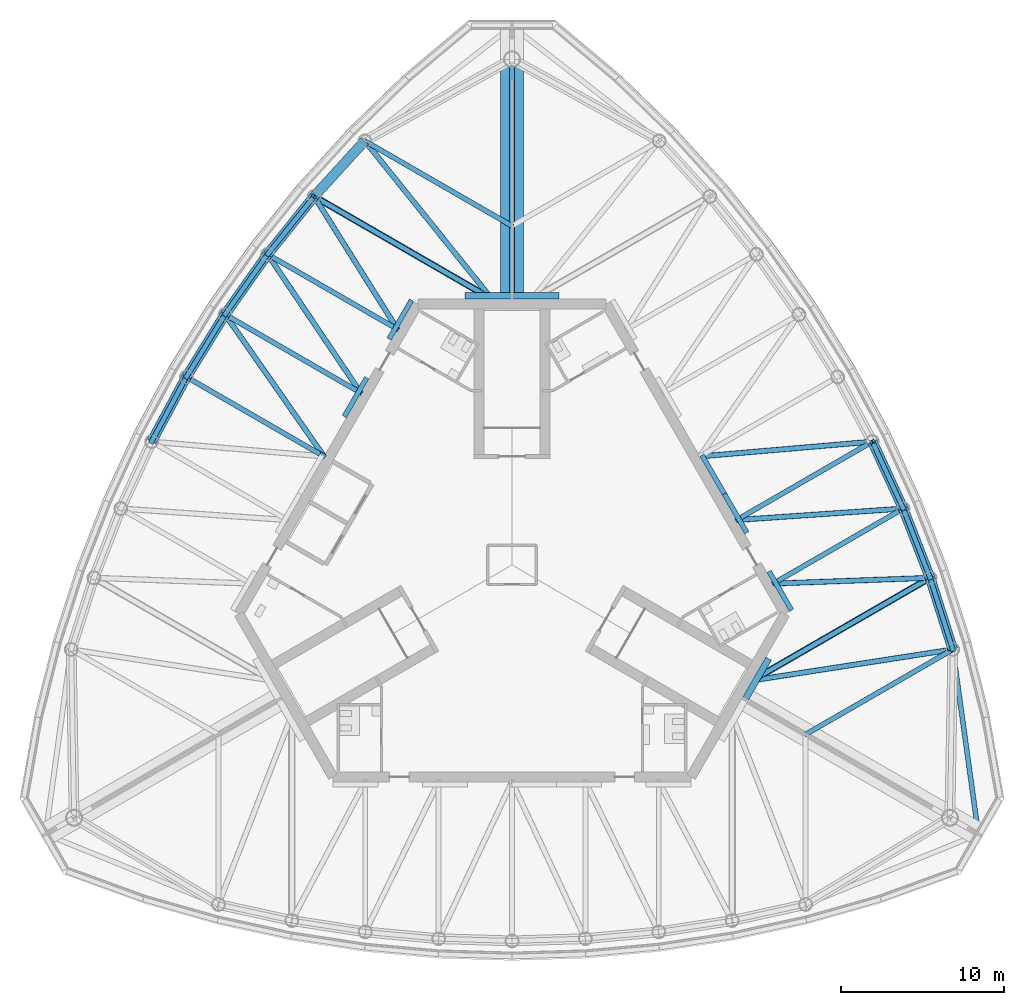
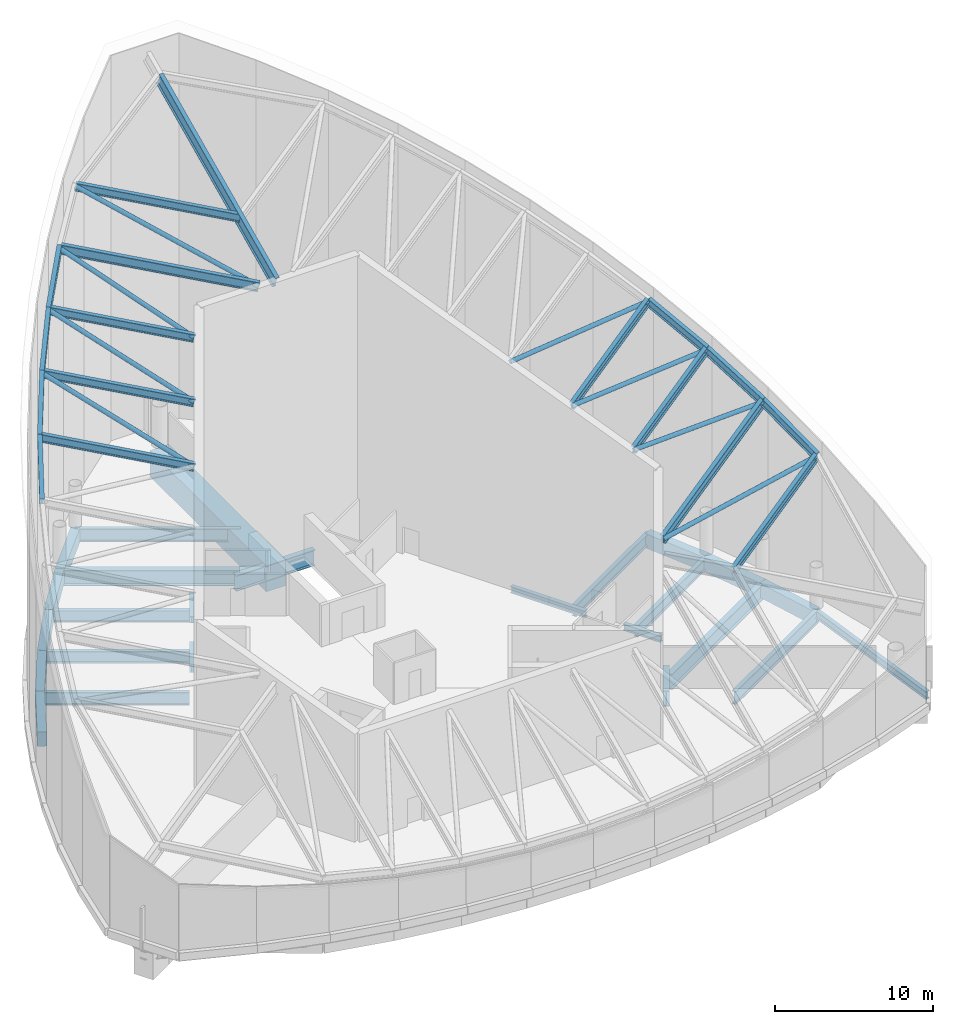
# One storey, part 3 of 10: 44 beams, 8 members.
"""IFC4 building model written with IfcOpenShell, lengths in metres."""

from ifc_helpers import new_model, si_unit, direction, frame, origin, origin_2d, place, context, subcontext, project, spatial, rectangle, hollow_circle, i_section, extrude, material, material_profile, profile_set, type_object, element, save


model = new_model("IFC4")

# Units and contexts
model_context = context("Model", 3, precision=1e-05, world=origin(), true_north=direction((0.0, 1.0)))
body_context = subcontext(model_context, "Body", "Model", "MODEL_VIEW")
ifc_project = project(units=[si_unit("LENGTHUNIT", "METRE"), si_unit("AREAUNIT", "SQUARE_METRE"), si_unit("VOLUMEUNIT", "CUBIC_METRE"), si_unit("PLANEANGLEUNIT", "RADIAN"), si_unit("MASSUNIT", "GRAM", prefix="KILO")], contexts=[model_context])

# Site, building, storey
site_placement = place(None, origin())
site = spatial("IfcSite", under=ifc_project, at=site_placement, CompositionType="ELEMENT")
building_placement = place(site_placement, origin())
building = spatial("IfcBuilding", under=site, at=building_placement, Name="Trefoil Bronze Tower", CompositionType="ELEMENT")
storey_placement = place(building_placement, frame((0.0, 0.0, 328.5)))
storey = spatial("IfcBuildingStorey", under=building, at=storey_placement, Name="RF", CompositionType="ELEMENT", Elevation=328.5)

# Beams
ifc_material_1 = material(Name="Steel C355", Category="steel")
ifc_material_profile_1 = material_profile(ifc_material_1, i_section(OverallWidth=0.300048828125, OverallDepth=0.5, WebThickness=0.014404296875, FlangeThickness=0.028076171875, FilletRadius=0.027099609375, at=origin_2d()), Name="HEB 500")
ifc_profile_set_1 = profile_set([ifc_material_profile_1], Name="Steel C355")
beam_type_1 = type_object("IfcBeamType", Name="Core seat beam HEB 500", PredefinedType="BEAM", material=ifc_profile_set_1)
for number, where, z_axis, x_axis, name in (
    (1, (17.1328125, -2.77490234375, -0.5), (-0.499969057507, 0.866043267704, 0.0), (-0.866043267704, -0.499969057507, 0.0), "Core seat beam F2/-2 RF"),
    (2, (14.390380859375, 1.97509765625, -0.5), (-0.499969057507, 0.866043267704, 0.0), (-0.866043267704, -0.499969057507, 0.0), "Core seat beam F2/-1 RF"),
    (3, (13.019287109375, 4.35009765625, -0.5), (-0.500035825175, 0.866004719122, 0.0), (-0.866004719122, -0.500035825175, 0.0), "Core seat beam F2/+0 RF"),
    (4, (-6.163330078125, 16.22509765625, -0.5), (-0.499969057507, -0.866043267704, 0.0), (0.866043267704, -0.499969057507, 0.0), "Core seat beam F3/-2 RF"),
    (5, (-8.905517578125, 11.47509765625, -0.5), (-0.500035825175, -0.866004719122, 0.0), (0.866004719122, -0.500035825175, 0.0), "Core seat beam F3/-1 RF"),
):
    element("IfcBeam", number, at=place(storey_placement, frame(where, z_axis=z_axis, x_axis=x_axis)), inside=storey, type_object=beam_type_1, Name=name, PredefinedType="BEAM", context=body_context, shape_type="SweptSolid", body=[
        extrude(i_section(OverallWidth=0.300048828125, OverallDepth=0.5, WebThickness=0.014404296875, FlangeThickness=0.028076171875, FilletRadius=0.027099609375, at=origin_2d()), origin(), (0.0, 0.0, 1.0), 2.742431640625),
    ])
ifc_material_2 = material(Name="Steel C355", Category="steel")
ifc_material_profile_2 = material_profile(ifc_material_2, i_section(OverallWidth=0.39990234375, OverallDepth=1.199951171875, WebThickness=0.02001953125, FlangeThickness=0.0400390625, FilletRadius=0.010009765625, at=origin_2d()), Name="WPG 1200")
ifc_profile_set_2 = profile_set([ifc_material_profile_2], Name="Steel C355")
beam_type_2 = type_object("IfcBeamType", Name="Core seat beam WPG 1200", PredefinedType="BEAM", material=ifc_profile_set_2)
beam_1_placement = place(storey_placement, frame((14.289306640625, -8.25, -0.85009765625), z_axis=(0.500059191753, 0.865991226713, 0.0), x_axis=(-0.865991226713, 0.500059191753, 0.0)))
element("IfcBeam", 6, at=beam_1_placement, inside=storey, type_object=beam_type_2, Name="Core seat beam F2/-3 RF", PredefinedType="BEAM", context=body_context, shape_type="SweptSolid", body=[
    extrude(i_section(OverallWidth=0.39990234375, OverallDepth=1.199951171875, WebThickness=0.02001953125, FlangeThickness=0.0400390625, FilletRadius=0.010009765625, at=origin_2d()), origin(), (0.0, 0.0, 1.0), 2.886962890625),
])
for number, where, z_axis, x_axis, name in (
    (7, (2.88671875, 16.5, -0.85009765625), (-1.0, 0.0, 0.0), (0.0, -1.0, 0.0), "Core seat beam F2/+3 RF"),
    (8, (0.0, 16.5, -0.85009765625), (-1.0, 0.0, 0.0), (0.0, -1.0, 0.0), "Core seat beam F3/-3 RF"),
):
    element("IfcBeam", number, at=place(storey_placement, frame(where, z_axis=z_axis, x_axis=x_axis)), inside=storey, type_object=beam_type_2, Name=name, PredefinedType="BEAM", context=body_context, shape_type="SweptSolid", body=[
        extrude(i_section(OverallWidth=0.39990234375, OverallDepth=1.199951171875, WebThickness=0.02001953125, FlangeThickness=0.0400390625, FilletRadius=0.010009765625, at=origin_2d()), origin(), (0.0, 0.0, 1.0), 2.88671875),
    ])
ifc_material_3 = material(Name="Steel C355", Category="steel")
ifc_material_profile_3 = material_profile(ifc_material_3, i_section(OverallWidth=0.300048828125, OverallDepth=0.60009765625, WebThickness=0.015380859375, FlangeThickness=0.030029296875, FilletRadius=0.027099609375, at=origin_2d()), Name="HEB 600")
ifc_profile_set_3 = profile_set([ifc_material_profile_3], Name="Steel C355")
beam_type_3 = type_object("IfcBeamType", Name="Corner edge beam HEB 600", PredefinedType="BEAM", material=ifc_profile_set_3)
beam_2_placement = place(storey_placement, frame((27.02734375, -5.180419921875, -0.550048828125), z_axis=(0.137143714313, -0.990551160529, 0.0), x_axis=(0.990551160529, 0.137143714313, 0.0)))
element("IfcBeam", 9, at=beam_2_placement, inside=storey, type_object=beam_type_3, Name="Corner edge beam F2B RF", PredefinedType="BEAM", context=body_context, shape_type="SweptSolid", body=[
    extrude(i_section(OverallWidth=0.300048828125, OverallDepth=0.60009765625, WebThickness=0.015380859375, FlangeThickness=0.030029296875, FilletRadius=0.027099609375, at=origin_2d()), origin(), (0.0, 0.0, 1.0), 11.437744140625),
])
ifc_material_4 = material(Name="Concrete B80", Category="concrete")
ifc_material_profile_4 = material_profile(ifc_material_4, rectangle(XDim=1.39990234375, YDim=2.0, at=origin_2d()), Name="RC 1400x2000")
ifc_profile_set_4 = profile_set([ifc_material_profile_4], Name="Concrete B80")
beam_type_4 = type_object("IfcBeamType", Name="Corner girder RC 1400x2000", PredefinedType="BEAM", material=ifc_profile_set_4)
beam_3_placement = place(storey_placement, frame((0.0, 16.300048828125, -1.25), z_axis=(0.0, 1.0, 0.0), x_axis=(-1.0, 0.0, 0.0)))
element("IfcBeam", 10, at=beam_3_placement, inside=storey, type_object=beam_type_4, Name="Corner girder K2 RF", PredefinedType="BEAM", context=body_context, shape_type="SweptSolid", body=[
    extrude(rectangle(XDim=1.39990234375, YDim=2.0, at=origin_2d()), origin(), (0.0, 0.0, 1.0), 14.699951171875),
])
ifc_material_5 = material(Name="Steel C355", Category="steel")
ifc_material_profile_5 = material_profile(ifc_material_5, i_section(OverallWidth=0.300048828125, OverallDepth=0.60009765625, WebThickness=0.015380859375, FlangeThickness=0.030029296875, FilletRadius=0.027099609375, at=origin_2d()), Name="HEB 600")
ifc_profile_set_5 = profile_set([ifc_material_profile_5], Name="Steel C355")
beam_type_5 = type_object("IfcBeamType", Name="Crown edge beam HEB 600", PredefinedType="BEAM", material=ifc_profile_set_5)
beam_4_placement = place(storey_placement, frame((27.02734375, -5.180419921875, 11.5791015625), z_axis=(-0.276925773923, 0.871078571358, 0.405628201999), x_axis=(-0.953000221975, -0.302969597344, 0.0)))
element("IfcBeam", 11, at=beam_4_placement, inside=storey, type_object=beam_type_5, Name="Crown edge beam F2.2", PredefinedType="BEAM", context=body_context, shape_type="SweptSolid", body=[
    extrude(i_section(OverallWidth=0.300048828125, OverallDepth=0.60009765625, WebThickness=0.015380859375, FlangeThickness=0.030029296875, FilletRadius=0.027099609375, at=origin_2d()), origin(), (0.0, 0.0, 1.0), 5.040283203125),
])
beam_5_placement = place(storey_placement, frame((25.631591796875, -0.7900390625, 13.62353515625), z_axis=(-0.331719102845, 0.855191027335, 0.398259643416), x_axis=(-0.932319256631, -0.361636286502, 0.0)))
element("IfcBeam", 12, at=beam_5_placement, inside=storey, type_object=beam_type_5, Name="Crown edge beam F2.3", PredefinedType="BEAM", context=body_context, shape_type="SweptSolid", body=[
    extrude(i_section(OverallWidth=0.300048828125, OverallDepth=0.60009765625, WebThickness=0.015380859375, FlangeThickness=0.030029296875, FilletRadius=0.027099609375, at=origin_2d()), origin(), (0.0, 0.0, 1.0), 4.964111328125),
])
beam_6_placement = place(storey_placement, frame((23.98486328125, 3.455322265625, 15.6005859375), z_axis=(-0.38535807126, 0.83649320775, 0.389587307678), x_axis=(-0.90825484215, -0.418417425199, 0.0)))
element("IfcBeam", 13, at=beam_6_placement, inside=storey, type_object=beam_type_5, Name="Crown edge beam F2.4", PredefinedType="BEAM", context=body_context, shape_type="SweptSolid", body=[
    extrude(i_section(OverallWidth=0.300048828125, OverallDepth=0.60009765625, WebThickness=0.015380859375, FlangeThickness=0.030029296875, FilletRadius=0.027099609375, at=origin_2d()), origin(), (0.0, 0.0, 1.0), 4.90673828125),
])
beam_7_placement = place(storey_placement, frame((-12.131591796875, 22.5927734375, 24.51513671875), z_axis=(-0.588944112057, -0.732564435439, -0.341312438689), x_axis=(0.779365403939, -0.626569682592, 0.0)))
element("IfcBeam", 14, at=beam_7_placement, inside=storey, type_object=beam_type_5, Name="Crown edge beam F3.3", PredefinedType="BEAM", context=body_context, shape_type="SweptSolid", body=[
    extrude(i_section(OverallWidth=0.300048828125, OverallDepth=0.60009765625, WebThickness=0.015380859375, FlangeThickness=0.030029296875, FilletRadius=0.027099609375, at=origin_2d()), origin(), (0.0, 0.0, 1.0), 4.8447265625),
])
beam_8_placement = place(storey_placement, frame((-14.98486328125, 19.043701171875, 22.861572265625), z_axis=(-0.539643958627, -0.763136441165, -0.355537860269), x_axis=(0.816483968693, -0.577368105169, 0.0)))
element("IfcBeam", 15, at=beam_8_placement, inside=storey, type_object=beam_type_5, Name="Crown edge beam F3.4", PredefinedType="BEAM", context=body_context, shape_type="SweptSolid", body=[
    extrude(i_section(OverallWidth=0.300048828125, OverallDepth=0.60009765625, WebThickness=0.015380859375, FlangeThickness=0.030029296875, FilletRadius=0.027099609375, at=origin_2d()), origin(), (0.0, 0.0, 1.0), 4.8349609375),
])
beam_9_placement = place(storey_placement, frame((-17.593994140625, 15.35400390625, 21.142578125), z_axis=(-0.489304887331, -0.790551327496, -0.368251715308), x_axis=(0.850305593433, -0.526289271956, 0.0)))
element("IfcBeam", 16, at=beam_9_placement, inside=storey, type_object=beam_type_5, Name="Crown edge beam F3.5", PredefinedType="BEAM", context=body_context, shape_type="SweptSolid", body=[
    extrude(i_section(OverallWidth=0.300048828125, OverallDepth=0.60009765625, WebThickness=0.015380859375, FlangeThickness=0.030029296875, FilletRadius=0.027099609375, at=origin_2d()), origin(), (0.0, 0.0, 1.0), 4.84228515625),
])
beam_10_placement = place(storey_placement, frame((-19.96337890625, 11.52587890625, 19.359375), z_axis=(-0.437827473466, -0.815000264289, -0.379580917181), x_axis=(0.880930378458, -0.473245885676, 0.0)))
element("IfcBeam", 17, at=beam_10_placement, inside=storey, type_object=beam_type_5, Name="Crown edge beam F3.6", PredefinedType="BEAM", context=body_context, shape_type="SweptSolid", body=[
    extrude(i_section(OverallWidth=0.300048828125, OverallDepth=0.60009765625, WebThickness=0.015380859375, FlangeThickness=0.030029296875, FilletRadius=0.027099609375, at=origin_2d()), origin(), (0.0, 0.0, 1.0), 4.866455078125),
])
ifc_material_6 = material(Name="Steel C355", Category="steel")
ifc_material_profile_6 = material_profile(ifc_material_6, i_section(OverallWidth=0.302001953125, OverallDepth=1.008056640625, WebThickness=0.02099609375, FlangeThickness=0.0400390625, FilletRadius=0.030029296875, at=origin_2d()), Name="HEM 1000")
ifc_profile_set_6 = profile_set([ifc_material_profile_6], Name="Steel C355")
beam_type_6 = type_object("IfcBeamType", Name="Crown girder HEM 1000", PredefinedType="BEAM", material=ifc_profile_set_6)
beam_11_placement = place(storey_placement, frame((0.0, 16.300048828125, 21.38916015625), z_axis=(0.0, 0.906312689865, 0.422607747432), x_axis=(-1.0, 0.0, 0.0)))
element("IfcBeam", 18, at=beam_11_placement, inside=storey, type_object=beam_type_6, Name="Crown girder K2", PredefinedType="BEAM", context=body_context, shape_type="SweptSolid", body=[
    extrude(i_section(OverallWidth=0.302001953125, OverallDepth=1.008056640625, WebThickness=0.02099609375, FlangeThickness=0.0400390625, FilletRadius=0.030029296875, at=origin_2d()), origin(), (0.0, 0.0, 1.0), 16.219482421875),
])
ifc_material_7 = material(Name="Steel C355", Category="steel")
ifc_material_profile_7 = material_profile(ifc_material_7, i_section(OverallWidth=0.300048828125, OverallDepth=0.60009765625, WebThickness=0.015380859375, FlangeThickness=0.030029296875, FilletRadius=0.027099609375, at=origin_2d()), Name="HEB 600")
ifc_profile_set_7 = profile_set([ifc_material_profile_7], Name="Steel C355")
beam_type_7 = type_object("IfcBeamType", Name="Crown rafter HEB 600", PredefinedType="BEAM", material=ifc_profile_set_7)
beam_12_placement = place(storey_placement, frame((27.02734375, -5.180419921875, 11.56005859375), z_axis=(-0.843404743405, -0.486937593634, -0.227068753262), x_axis=(0.499998180979, -0.866026453994, 0.0)))
element("IfcBeam", 19, at=beam_12_placement, inside=storey, type_object=beam_type_7, Name="Crown rafter F2/-4", PredefinedType="BEAM", context=body_context, shape_type="SweptSolid", body=[
    extrude(i_section(OverallWidth=0.300048828125, OverallDepth=0.60009765625, WebThickness=0.015380859375, FlangeThickness=0.030029296875, FilletRadius=0.027099609375, at=origin_2d()), origin(), (0.0, 0.0, 1.0), 10.703369140625),
])
beam_13_placement = place(storey_placement, frame((23.98486328125, 3.455322265625, 15.5869140625), z_axis=(-0.843407100155, -0.486938887194, -0.227057225266), x_axis=(0.499998129301, -0.86602648383, 0.0)))
element("IfcBeam", 20, at=beam_13_placement, inside=storey, type_object=beam_type_7, Name="Crown rafter F2/-2", PredefinedType="BEAM", context=body_context, shape_type="SweptSolid", body=[
    extrude(i_section(OverallWidth=0.300048828125, OverallDepth=0.60009765625, WebThickness=0.015380859375, FlangeThickness=0.030029296875, FilletRadius=0.027099609375, at=origin_2d()), origin(), (0.0, 0.0, 1.0), 9.446044921875),
])
beam_14_placement = place(storey_placement, frame((22.093994140625, 7.559814453125, 17.5009765625), z_axis=(-0.84340999103, -0.486933680714, -0.22705765263), x_axis=(0.499992834343, -0.866029540839, 0.0)))
element("IfcBeam", 21, at=beam_14_placement, inside=storey, type_object=beam_type_7, Name="Crown rafter F2/-1", PredefinedType="BEAM", context=body_context, shape_type="SweptSolid", body=[
    extrude(i_section(OverallWidth=0.300048828125, OverallDepth=0.60009765625, WebThickness=0.015380859375, FlangeThickness=0.030029296875, FilletRadius=0.027099609375, at=origin_2d()), origin(), (0.0, 0.0, 1.0), 9.871826171875),
])
beam_15_placement = place(storey_placement, frame((-9.02734375, 25.99658203125, 26.09814453125), z_axis=(0.843404743405, -0.486937593634, -0.227068753262), x_axis=(0.499998180979, 0.866026453994, 0.0)))
element("IfcBeam", 22, at=beam_15_placement, inside=storey, type_object=beam_type_7, Name="Crown rafter F3/-4", PredefinedType="BEAM", context=body_context, shape_type="SweptSolid", body=[
    extrude(i_section(OverallWidth=0.300048828125, OverallDepth=0.60009765625, WebThickness=0.015380859375, FlangeThickness=0.030029296875, FilletRadius=0.027099609375, at=origin_2d()), origin(), (0.0, 0.0, 1.0), 10.703369140625),
])
beam_16_placement = place(storey_placement, frame((-14.98486328125, 19.043701171875, 22.85595703125), z_axis=(0.843417714714, -0.486919169144, -0.227060082856), x_axis=(0.499978224471, 0.866037975527, 0.0)))
element("IfcBeam", 23, at=beam_16_placement, inside=storey, type_object=beam_type_7, Name="Crown rafter F3/-2", PredefinedType="BEAM", context=body_context, shape_type="SweptSolid", body=[
    extrude(i_section(OverallWidth=0.300048828125, OverallDepth=0.60009765625, WebThickness=0.015380859375, FlangeThickness=0.030029296875, FilletRadius=0.027099609375, at=origin_2d()), origin(), (0.0, 0.0, 1.0), 9.44580078125),
])
beam_17_placement = place(storey_placement, frame((-17.593994140625, 15.35400390625, 21.135498046875), z_axis=(0.84340525471, -0.48693094625, -0.227081108663), x_axis=(0.499992834343, 0.866029540839, 0.0)))
element("IfcBeam", 24, at=beam_17_placement, inside=storey, type_object=beam_type_7, Name="Crown rafter F3/-1", PredefinedType="BEAM", context=body_context, shape_type="SweptSolid", body=[
    extrude(i_section(OverallWidth=0.300048828125, OverallDepth=0.60009765625, WebThickness=0.015380859375, FlangeThickness=0.030029296875, FilletRadius=0.027099609375, at=origin_2d()), origin(), (0.0, 0.0, 1.0), 9.871826171875),
])
beam_18_placement = place(storey_placement, frame((-19.96337890625, 11.52587890625, 19.350341796875), z_axis=(0.843401516038, -0.486945394262, -0.227064012455), x_axis=(0.500005623329, 0.86602215713, 0.0)))
element("IfcBeam", 25, at=beam_18_placement, inside=storey, type_object=beam_type_7, Name="Crown rafter F3/+0", PredefinedType="BEAM", context=body_context, shape_type="SweptSolid", body=[
    extrude(i_section(OverallWidth=0.300048828125, OverallDepth=0.60009765625, WebThickness=0.015380859375, FlangeThickness=0.030029296875, FilletRadius=0.027099609375, at=origin_2d()), origin(), (0.0, 0.0, 1.0), 10.013427734375),
])
ifc_material_8 = material(Name="Steel C355", Category="steel")
ifc_material_profile_8 = material_profile(ifc_material_8, i_section(OverallWidth=0.303955078125, OverallDepth=0.716064453125, WebThickness=0.02099609375, FlangeThickness=0.0400390625, FilletRadius=0.027099609375, at=origin_2d()), Name="HEM 700")
ifc_profile_set_8 = profile_set([ifc_material_profile_8], Name="Steel C355")
beam_type_8 = type_object("IfcBeamType", Name="Crown rafter HEM 700", PredefinedType="BEAM", material=ifc_profile_set_8)
for number, where, z_axis, x_axis, name in (
    (26, (25.631591796875, -0.7900390625, 13.546875), (-0.843401680856, -0.486944836235, -0.227064596963), (0.500005120304, -0.866022447555, 0.0), "Crown rafter F2/-3"),
    (27, (-12.131591796875, 22.5927734375, 24.450439453125), (0.843401680856, -0.486944836235, -0.227064596963), (0.500005120304, 0.866022447555, 0.0), "Crown rafter F3/-3"),
):
    element("IfcBeam", number, at=place(storey_placement, frame(where, z_axis=z_axis, x_axis=x_axis)), inside=storey, type_object=beam_type_8, Name=name, PredefinedType="BEAM", context=body_context, shape_type="SweptSolid", body=[
        extrude(i_section(OverallWidth=0.303955078125, OverallDepth=0.716064453125, WebThickness=0.02099609375, FlangeThickness=0.0400390625, FilletRadius=0.027099609375, at=origin_2d()), origin(), (0.0, 0.0, 1.0), 12.9228515625),
    ])

# Members
ifc_material_9 = material(Name="Steel C355", Category="steel")
ifc_material_profile_9 = material_profile(ifc_material_9, hollow_circle(Radius=0.161865234375, WallThickness=0.012451171875, at=origin_2d()), Name="CHS 323.9x12.5")
ifc_profile_set_9 = profile_set([ifc_material_profile_9], Name="Steel C355")
member_type = type_object("IfcMemberType", Name="Crown roof brace CHS 323.9x12.5", PredefinedType="BRACE", material=ifc_profile_set_9)
member_1_placement = place(storey_placement, frame((27.02734375, -5.180419921875, 11.56005859375), z_axis=(-0.98538708231, -0.152464975087, -0.07593898464), x_axis=(0.152906497739, -0.988240660441, 0.0)))
element("IfcMember", 28, at=member_1_placement, inside=storey, type_object=member_type, Name="Crown roof brace F2.1", PredefinedType="BRACE", context=body_context, shape_type="SweptSolid", body=[
    extrude(hollow_circle(Radius=0.161865234375, WallThickness=0.012451171875, at=origin_2d()), origin(), (0.0, 0.0, 1.0), 12.477294921875),
])
member_2_placement = place(storey_placement, frame((25.631591796875, -0.7900390625, 13.546875), z_axis=(-0.999262547954, -0.036821747647, -0.010886650407), x_axis=(0.036823929882, -0.999321769095, 0.0)))
element("IfcMember", 29, at=member_2_placement, inside=storey, type_object=member_type, Name="Crown roof brace F2.2", PredefinedType="BRACE", context=body_context, shape_type="SweptSolid", body=[
    extrude(hollow_circle(Radius=0.161865234375, WallThickness=0.012451171875, at=origin_2d()), origin(), (0.0, 0.0, 1.0), 9.62060546875),
])
member_3_placement = place(storey_placement, frame((23.98486328125, 3.455322265625, 15.5869140625), z_axis=(-0.9971357278, -0.068551889908, -0.031952757861), x_axis=(0.068586911739, -0.997645145098, 0.0)))
element("IfcMember", 30, at=member_3_placement, inside=storey, type_object=member_type, Name="Crown roof brace F2.3", PredefinedType="BRACE", context=body_context, shape_type="SweptSolid", body=[
    extrude(hollow_circle(Radius=0.161865234375, WallThickness=0.012451171875, at=origin_2d()), origin(), (0.0, 0.0, 1.0), 10.24609375),
])
member_4_placement = place(storey_placement, frame((22.093994140625, 7.559814453125, 17.5009765625), z_axis=(-0.995524273093, -0.085651076106, -0.039941392614), x_axis=(0.085719478175, -0.996319311798, 0.0)))
element("IfcMember", 31, at=member_4_placement, inside=storey, type_object=member_type, Name="Crown roof brace F2.4", PredefinedType="BRACE", context=body_context, shape_type="SweptSolid", body=[
    extrude(hollow_circle(Radius=0.161865234375, WallThickness=0.012451171875, at=origin_2d()), origin(), (0.0, 0.0, 1.0), 10.62353515625),
])
member_5_placement = place(storey_placement, frame((-9.02734375, 25.99658203125, 26.09814453125), z_axis=(0.587934301705, -0.73136390193, -0.345601070358), x_axis=(0.779388635383, 0.626540784815, 0.0)))
element("IfcMember", 32, at=member_5_placement, inside=storey, type_object=member_type, Name="Crown roof brace F3.1", PredefinedType="BRACE", context=body_context, shape_type="SweptSolid", body=[
    extrude(hollow_circle(Radius=0.161865234375, WallThickness=0.012451171875, at=origin_2d()), origin(), (0.0, 0.0, 1.0), 13.258056640625),
])
member_6_placement = place(storey_placement, frame((-12.131591796875, 22.5927734375, 24.450439453125), z_axis=(0.495438908918, -0.789485272095, -0.36228896295), x_axis=(0.847027375707, 0.531549268462, 0.0)))
element("IfcMember", 33, at=member_6_placement, inside=storey, type_object=member_type, Name="Crown roof brace F3.2", PredefinedType="BRACE", context=body_context, shape_type="SweptSolid", body=[
    extrude(hollow_circle(Radius=0.161865234375, WallThickness=0.012451171875, at=origin_2d()), origin(), (0.0, 0.0, 1.0), 10.3212890625),
])
member_7_placement = place(storey_placement, frame((-14.98486328125, 19.043701171875, 22.85595703125), z_axis=(0.520629607279, -0.773785086801, -0.360834382326), x_axis=(0.829680754096, 0.558238162689, 0.0)))
element("IfcMember", 34, at=member_7_placement, inside=storey, type_object=member_type, Name="Crown roof brace F3.3", PredefinedType="BRACE", context=body_context, shape_type="SweptSolid", body=[
    extrude(hollow_circle(Radius=0.161865234375, WallThickness=0.012451171875, at=origin_2d()), origin(), (0.0, 0.0, 1.0), 10.98046875),
])
member_8_placement = place(storey_placement, frame((-17.593994140625, 15.35400390625, 21.135498046875), z_axis=(0.534639793726, -0.765900989509, -0.357149779832), x_axis=(0.819981099104, 0.572390598379, 0.0)))
element("IfcMember", 35, at=member_8_placement, inside=storey, type_object=member_type, Name="Crown roof brace F3.4", PredefinedType="BRACE", context=body_context, shape_type="SweptSolid", body=[
    extrude(hollow_circle(Radius=0.161865234375, WallThickness=0.012451171875, at=origin_2d()), origin(), (0.0, 0.0, 1.0), 11.364501953125),
])

# Beams
ifc_material_10 = material(Name="Steel C355", Category="steel")
ifc_material_profile_10 = material_profile(ifc_material_10, i_section(OverallWidth=0.300048828125, OverallDepth=1.0, WebThickness=0.01904296875, FlangeThickness=0.035888671875, FilletRadius=0.030029296875, at=origin_2d()), Name="HEB 1000")
ifc_profile_set_10 = profile_set([ifc_material_profile_10], Name="Steel C355")
beam_type_9 = type_object("IfcBeamType", Name="Floor beam HEB 1000", PredefinedType="BEAM", material=ifc_profile_set_10)
beam_19_placement = place(storey_placement, frame((-19.96337890625, 11.52587890625, -0.75), z_axis=(0.866029875693, -0.499992254348, 0.0), x_axis=(0.499992254348, 0.866029875693, 0.0)))
element("IfcBeam", 36, at=beam_19_placement, inside=storey, type_object=beam_type_9, Name="Floor beam F3/+0 RF", PredefinedType="BEAM", context=body_context, shape_type="SweptSolid", body=[
    extrude(i_section(OverallWidth=0.300048828125, OverallDepth=1.0, WebThickness=0.01904296875, FlangeThickness=0.035888671875, FilletRadius=0.030029296875, at=origin_2d()), origin(), (0.0, 0.0, 1.0), 9.451904296875),
])
ifc_material_11 = material(Name="Steel C355", Category="steel")
ifc_material_profile_11 = material_profile(ifc_material_11, i_section(OverallWidth=0.300048828125, OverallDepth=0.89990234375, WebThickness=0.0185546875, FlangeThickness=0.034912109375, FilletRadius=0.030029296875, at=origin_2d()), Name="HEB 900")
ifc_profile_set_11 = profile_set([ifc_material_profile_11], Name="Steel C355")
beam_type_10 = type_object("IfcBeamType", Name="Floor beam HEB 900", PredefinedType="BEAM", material=ifc_profile_set_11)
beam_20_placement = place(storey_placement, frame((23.98486328125, 3.455322265625, -0.699951171875), z_axis=(-0.866034827411, -0.499983677445, 0.0), x_axis=(0.499983677445, -0.866034827411, 0.0)))
element("IfcBeam", 37, at=beam_20_placement, inside=storey, type_object=beam_type_10, Name="Floor beam F2/-2 RF", PredefinedType="BEAM", context=body_context, shape_type="SweptSolid", body=[
    extrude(i_section(OverallWidth=0.300048828125, OverallDepth=0.89990234375, WebThickness=0.0185546875, FlangeThickness=0.034912109375, FilletRadius=0.030029296875, at=origin_2d()), origin(), (0.0, 0.0, 1.0), 8.899169921875),
])
beam_21_placement = place(storey_placement, frame((22.093994140625, 7.559814453125, -0.699951171875), z_axis=(-0.866026261222, -0.499998514871, 0.0), x_axis=(0.499998514871, -0.866026261222, 0.0)))
element("IfcBeam", 38, at=beam_21_placement, inside=storey, type_object=beam_type_10, Name="Floor beam F2/-1 RF", PredefinedType="BEAM", context=body_context, shape_type="SweptSolid", body=[
    extrude(i_section(OverallWidth=0.300048828125, OverallDepth=0.89990234375, WebThickness=0.0185546875, FlangeThickness=0.034912109375, FilletRadius=0.030029296875, at=origin_2d()), origin(), (0.0, 0.0, 1.0), 9.31396484375),
])
beam_22_placement = place(storey_placement, frame((-14.98486328125, 19.043701171875, -0.699951171875), z_axis=(0.866034827411, -0.499983677445, 0.0), x_axis=(0.499983677445, 0.866034827411, 0.0)))
element("IfcBeam", 39, at=beam_22_placement, inside=storey, type_object=beam_type_10, Name="Floor beam F3/-2 RF", PredefinedType="BEAM", context=body_context, shape_type="SweptSolid", body=[
    extrude(i_section(OverallWidth=0.300048828125, OverallDepth=0.89990234375, WebThickness=0.0185546875, FlangeThickness=0.034912109375, FilletRadius=0.030029296875, at=origin_2d()), origin(), (0.0, 0.0, 1.0), 8.899169921875),
])
beam_23_placement = place(storey_placement, frame((-17.593994140625, 15.35400390625, -0.699951171875), z_axis=(0.866026261222, -0.499998514871, 0.0), x_axis=(0.499998514871, 0.866026261222, 0.0)))
element("IfcBeam", 40, at=beam_23_placement, inside=storey, type_object=beam_type_10, Name="Floor beam F3/-1 RF", PredefinedType="BEAM", context=body_context, shape_type="SweptSolid", body=[
    extrude(i_section(OverallWidth=0.300048828125, OverallDepth=0.89990234375, WebThickness=0.0185546875, FlangeThickness=0.034912109375, FilletRadius=0.030029296875, at=origin_2d()), origin(), (0.0, 0.0, 1.0), 9.31396484375),
])
ifc_material_12 = material(Name="Steel C355", Category="steel")
ifc_material_profile_12 = material_profile(ifc_material_12, i_section(OverallWidth=0.302001953125, OverallDepth=1.008056640625, WebThickness=0.02099609375, FlangeThickness=0.0400390625, FilletRadius=0.030029296875, at=origin_2d()), Name="HEM 1000")
ifc_profile_set_12 = profile_set([ifc_material_profile_12], Name="Steel C355")
beam_type_11 = type_object("IfcBeamType", Name="Floor beam HEM 1000", PredefinedType="BEAM", material=ifc_profile_set_12)
for number, where, z_axis, x_axis, name in (
    (41, (27.02734375, -5.180419921875, -0.75390625), (-0.866026453994, -0.499998180979, 0.0), (0.499998180979, -0.866026453994, 0.0), "Floor beam F2/-4 RF"),
    (42, (-9.02734375, 25.99658203125, -0.75390625), (0.866026453994, -0.499998180979, 0.0), (0.499998180979, 0.866026453994, 0.0), "Floor beam F3/-4 RF"),
):
    element("IfcBeam", number, at=place(storey_placement, frame(where, z_axis=z_axis, x_axis=x_axis)), inside=storey, type_object=beam_type_11, Name=name, PredefinedType="BEAM", context=body_context, shape_type="SweptSolid", body=[
        extrude(i_section(OverallWidth=0.302001953125, OverallDepth=1.008056640625, WebThickness=0.02099609375, FlangeThickness=0.0400390625, FilletRadius=0.030029296875, at=origin_2d()), origin(), (0.0, 0.0, 1.0), 10.423828125),
    ])
ifc_material_13 = material(Name="Steel C355", Category="steel")
ifc_material_profile_13 = material_profile(ifc_material_13, i_section(OverallWidth=0.39990234375, OverallDepth=1.199951171875, WebThickness=0.02001953125, FlangeThickness=0.0400390625, FilletRadius=0.010009765625, at=origin_2d()), Name="WPG 1200")
ifc_profile_set_13 = profile_set([ifc_material_profile_13], Name="Steel C355")
beam_type_12 = type_object("IfcBeamType", Name="Floor beam WPG 1200", PredefinedType="BEAM", material=ifc_profile_set_13)
beam_24_placement = place(storey_placement, frame((25.631591796875, -0.7900390625, -0.85009765625), z_axis=(-0.866026552003, -0.499998011222, 0.0), x_axis=(0.499998011222, -0.866026552003, 0.0)))
element("IfcBeam", 43, at=beam_24_placement, inside=storey, type_object=beam_type_12, Name="Floor beam F2/-3 RF", PredefinedType="BEAM", context=body_context, shape_type="SweptSolid", body=[
    extrude(i_section(OverallWidth=0.39990234375, OverallDepth=1.199951171875, WebThickness=0.02001953125, FlangeThickness=0.0400390625, FilletRadius=0.010009765625, at=origin_2d()), origin(), (0.0, 0.0, 1.0), 11.78515625),
])
beam_25_placement = place(storey_placement, frame((-12.131591796875, 22.5927734375, -0.85009765625), z_axis=(0.866017581749, -0.500013547917, 0.0), x_axis=(0.500013547917, 0.866017581749, 0.0)))
element("IfcBeam", 44, at=beam_25_placement, inside=storey, type_object=beam_type_12, Name="Floor beam F3/-3 RF", PredefinedType="BEAM", context=body_context, shape_type="SweptSolid", body=[
    extrude(i_section(OverallWidth=0.39990234375, OverallDepth=1.199951171875, WebThickness=0.02001953125, FlangeThickness=0.0400390625, FilletRadius=0.010009765625, at=origin_2d()), origin(), (0.0, 0.0, 1.0), 11.785400390625),
])
ifc_material_14 = material(Name="Concrete B80", Category="concrete")
ifc_material_profile_14 = material_profile(ifc_material_14, rectangle(XDim=0.60009765625, YDim=1.10009765625, at=origin_2d()), Name="RC 600x1100")
ifc_profile_set_14 = profile_set([ifc_material_profile_14], Name="Concrete B80")
beam_type_13 = type_object("IfcBeamType", Name="Spandrel beam RC 600x1100", PredefinedType="SPANDREL", material=ifc_profile_set_14)
beam_26_placement = place(storey_placement, frame((27.02734375, -5.180419921875, -0.800048828125), z_axis=(-0.302969597344, 0.953000221975, 0.0), x_axis=(-0.953000221975, -0.302969597344, 0.0)))
element("IfcBeam", 45, at=beam_26_placement, inside=storey, type_object=beam_type_13, Name="Spandrel F2.2 RF", PredefinedType="SPANDREL", context=body_context, shape_type="SweptSolid", body=[
    extrude(rectangle(XDim=0.60009765625, YDim=1.10009765625, at=origin_2d()), origin(), (0.0, 0.0, 1.0), 4.60693359375),
])
beam_27_placement = place(storey_placement, frame((25.631591796875, -0.7900390625, -0.800048828125), z_axis=(-0.361636286502, 0.932319256631, 0.0), x_axis=(-0.932319256631, -0.361636286502, 0.0)))
element("IfcBeam", 46, at=beam_27_placement, inside=storey, type_object=beam_type_13, Name="Spandrel F2.3 RF", PredefinedType="SPANDREL", context=body_context, shape_type="SweptSolid", body=[
    extrude(rectangle(XDim=0.60009765625, YDim=1.10009765625, at=origin_2d()), origin(), (0.0, 0.0, 1.0), 4.553466796875),
])
beam_28_placement = place(storey_placement, frame((23.98486328125, 3.455322265625, -0.800048828125), z_axis=(-0.418417425199, 0.90825484215, 0.0), x_axis=(-0.90825484215, -0.418417425199, 0.0)))
element("IfcBeam", 47, at=beam_28_placement, inside=storey, type_object=beam_type_13, Name="Spandrel F2.4 RF", PredefinedType="SPANDREL", context=body_context, shape_type="SweptSolid", body=[
    extrude(rectangle(XDim=0.60009765625, YDim=1.10009765625, at=origin_2d()), origin(), (0.0, 0.0, 1.0), 4.51904296875),
])
beam_29_placement = place(storey_placement, frame((-9.02734375, 25.99658203125, -0.800048828125), z_axis=(-0.673845775847, -0.738872025707, 0.0), x_axis=(0.738872025707, -0.673845775847, 0.0)))
element("IfcBeam", 48, at=beam_29_placement, inside=storey, type_object=beam_type_13, Name="Spandrel F3.2 RF", PredefinedType="SPANDREL", context=body_context, shape_type="SweptSolid", body=[
    extrude(rectangle(XDim=0.60009765625, YDim=1.10009765625, at=origin_2d()), origin(), (0.0, 0.0, 1.0), 4.606689453125),
])
beam_30_placement = place(storey_placement, frame((-12.131591796875, 22.5927734375, -0.800048828125), z_axis=(-0.626569682592, -0.779365403939, 0.0), x_axis=(0.779365403939, -0.626569682592, 0.0)))
element("IfcBeam", 49, at=beam_30_placement, inside=storey, type_object=beam_type_13, Name="Spandrel F3.3 RF", PredefinedType="SPANDREL", context=body_context, shape_type="SweptSolid", body=[
    extrude(rectangle(XDim=0.60009765625, YDim=1.10009765625, at=origin_2d()), origin(), (0.0, 0.0, 1.0), 4.5537109375),
])
beam_31_placement = place(storey_placement, frame((-14.98486328125, 19.043701171875, -0.800048828125), z_axis=(-0.577368105169, -0.816483968693, 0.0), x_axis=(0.816483968693, -0.577368105169, 0.0)))
element("IfcBeam", 50, at=beam_31_placement, inside=storey, type_object=beam_type_13, Name="Spandrel F3.4 RF", PredefinedType="SPANDREL", context=body_context, shape_type="SweptSolid", body=[
    extrude(rectangle(XDim=0.60009765625, YDim=1.10009765625, at=origin_2d()), origin(), (0.0, 0.0, 1.0), 4.51904296875),
])
beam_32_placement = place(storey_placement, frame((-17.593994140625, 15.35400390625, -0.800048828125), z_axis=(-0.526289271956, -0.850305593433, 0.0), x_axis=(0.850305593433, -0.526289271956, 0.0)))
element("IfcBeam", 51, at=beam_32_placement, inside=storey, type_object=beam_type_13, Name="Spandrel F3.5 RF", PredefinedType="SPANDREL", context=body_context, shape_type="SweptSolid", body=[
    extrude(rectangle(XDim=0.60009765625, YDim=1.10009765625, at=origin_2d()), origin(), (0.0, 0.0, 1.0), 4.501953125),
])
beam_33_placement = place(storey_placement, frame((-19.96337890625, 11.52587890625, -0.800048828125), z_axis=(-0.473245885676, -0.880930378458, 0.0), x_axis=(0.880930378458, -0.473245885676, 0.0)))
element("IfcBeam", 52, at=beam_33_placement, inside=storey, type_object=beam_type_13, Name="Spandrel F3.6 RF", PredefinedType="SPANDREL", context=body_context, shape_type="SweptSolid", body=[
    extrude(rectangle(XDim=0.60009765625, YDim=1.10009765625, at=origin_2d()), origin(), (0.0, 0.0, 1.0), 4.502197265625),
])

save(model, "model.ifc")
